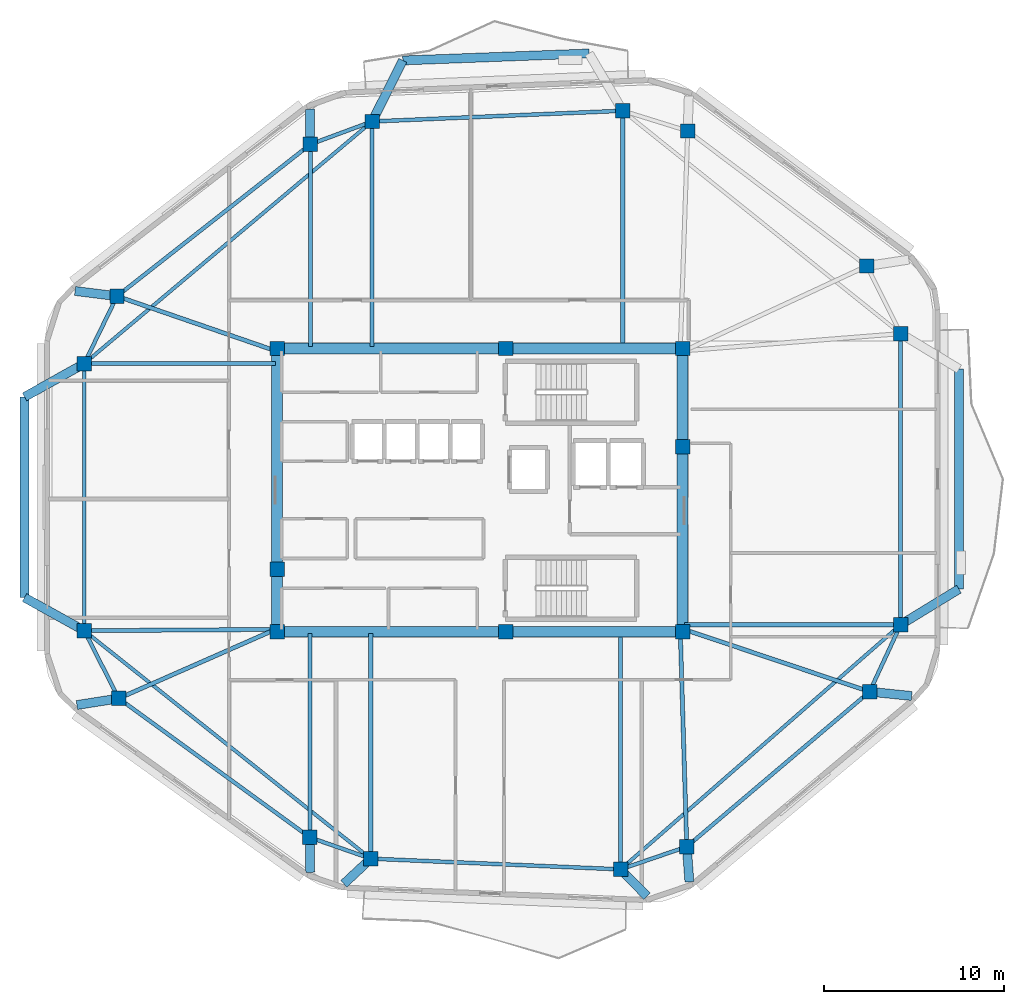
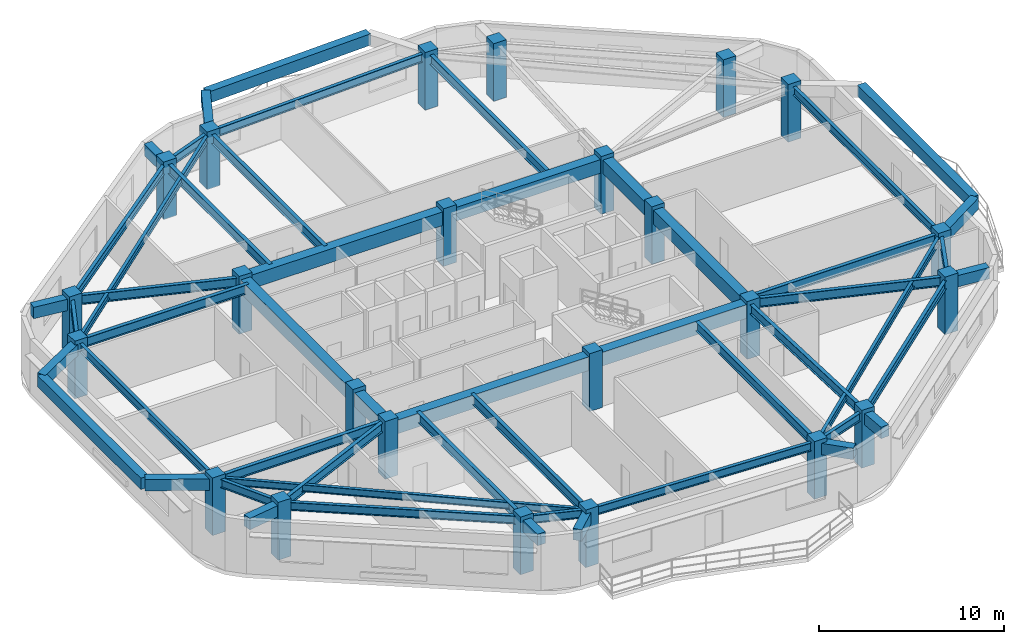
# One storey, part 1 of 8: 52 beams, 24 columns.
"""IFC4 building model written with IfcOpenShell, lengths in metres."""

from ifc_helpers import new_model, si_unit, direction, frame, origin, origin_2d, place, context, subcontext, project, spatial, rectangle, i_section, extrude, material, material_profile, profile_set, type_object, element, save


model = new_model("IFC4")

# Units and contexts
model_context = context("Model", 3, precision=1e-05, world=origin(), true_north=direction((0.0, 1.0)))
body_context = subcontext(model_context, "Body", "Model", "MODEL_VIEW")
ifc_project = project(units=[si_unit("LENGTHUNIT", "METRE"), si_unit("AREAUNIT", "SQUARE_METRE"), si_unit("VOLUMEUNIT", "CUBIC_METRE"), si_unit("PLANEANGLEUNIT", "RADIAN"), si_unit("MASSUNIT", "GRAM", prefix="KILO")], contexts=[model_context])

# Site, building, storey
site_placement = place(None, origin())
site = spatial("IfcSite", under=ifc_project, at=site_placement, CompositionType="ELEMENT")
building_placement = place(site_placement, origin())
building = spatial("IfcBuilding", under=site, at=building_placement, Name="Zulverin Broadcast Headquarters", CompositionType="ELEMENT")
storey_placement = place(building_placement, frame((0.0, 0.0, 274.39990234375)))
storey = spatial("IfcBuildingStorey", under=building, at=storey_placement, Name="L70", CompositionType="ELEMENT", Elevation=274.39990234375)

# Columns
ifc_material_1 = material(Name="Concrete C50/60", Category="concrete")
ifc_material_profile_1 = material_profile(ifc_material_1, rectangle(XDim=0.800048828125, YDim=0.800048828125, at=origin_2d()), Name="Concrete C50/60", Category="concrete")
ifc_profile_set_1 = profile_set([ifc_material_profile_1], Name="Concrete C50/60")
column_type_1 = type_object("IfcColumnType", Name="COL-RC-800", PredefinedType="COLUMN", material=ifc_profile_set_1)
for number, where, z_axis, x_axis, name in (
    (1, (30.93359375, 4.703125, 0.0), (0.0, 0.0, 1.0), (1.0, 0.0, 0.0), "L70 Perimeter Column T01"),
    (2, (44.826904296875, 4.1083984375, 0.0), (0.0, 0.0, 1.0), (1.0, 0.0, 0.0), "L70 Perimeter Column T02"),
    (3, (48.5078125, 5.3701171875, 0.0), (0.0, 0.0, 1.0), (1.0, 0.0, 0.0), "L70 Perimeter Column T03"),
    (4, (58.6748046875, 13.9892578125, 0.0), (0.0, 0.0, 1.0), (1.0, 0.0, 0.0), "L70 Perimeter Column T04"),
    (5, (60.39990234375, 17.713623046875, 0.0), (0.0, 0.0, 1.0), (1.0, 0.0, 0.0), "L70 Perimeter Column T05"),
    (6, (60.39990234375, 33.903076171875, 0.0), (0.0, 0.0, 1.0), (1.0, 0.0, 0.0), "L70 Perimeter Column T06"),
    (7, (58.52587890625, 37.661865234375, 0.0), (0.0, 0.0, 1.0), (1.0, 0.0, 0.0), "L70 Perimeter Column T07"),
    (8, (48.55908203125, 45.172607421875, 0.0), (0.0, 0.0, 1.0), (1.0, 0.0, 0.0), "L70 Perimeter Column T08"),
    (9, (44.944580078125, 46.296630859375, 0.0), (0.0, 0.0, 1.0), (1.0, 0.0, 0.0), "L70 Perimeter Column T09"),
    (10, (31.006591796875, 45.699951171875, 0.0), (0.0, 0.0, 1.0), (1.0, 0.0, 0.0), "L70 Perimeter Column T10"),
    (11, (27.573486328125, 44.4296875, 0.0), (0.0, 0.0, 1.0), (1.0, 0.0, 0.0), "L70 Perimeter Column T11"),
    (12, (16.82177734375, 35.98388671875, 0.0), (0.0, 0.0, 1.0), (1.0, 0.0, 0.0), "L70 Perimeter Column T12"),
    (13, (15.0, 32.236083984375, 0.0), (0.0, 0.0, 1.0), (1.0, 0.0, 0.0), "L70 Perimeter Column T13"),
    (14, (15.0, 17.383056640625, 0.0), (0.0, 0.0, 1.0), (1.0, 0.0, 0.0), "L70 Perimeter Column T14"),
    (15, (16.918212890625, 13.61572265625, 0.0), (0.0, 0.0, 1.0), (1.0, 0.0, 0.0), "L70 Perimeter Column T15"),
    (16, (27.54541015625, 5.8857421875, 0.0), (0.0, 0.0, 1.0), (1.0, 0.0, 0.0), "L70 Perimeter Column T16"),
):
    element("IfcColumn", number, at=place(storey_placement, frame(where, z_axis=z_axis, x_axis=x_axis)), inside=storey, type_object=column_type_1, Name=name, PredefinedType="COLUMN", context=body_context, shape_type="SweptSolid", body=[
        extrude(rectangle(XDim=0.800048828125, YDim=0.800048828125, at=origin_2d()), origin(), (0.0, 0.0, 1.0), 3.800048828125),
    ])
ifc_material_profile_2 = material_profile(ifc_material_1, rectangle(XDim=0.800048828125, YDim=0.800048828125, at=origin_2d()), Name="Concrete C50/60", Category="concrete")
ifc_profile_set_2 = profile_set([ifc_material_profile_2], Name="Concrete C50/60")
column_type_2 = type_object("IfcColumnType", Name="PIL-RC-800", PredefinedType="PILASTER", material=ifc_profile_set_2)
for number, where, z_axis, x_axis, name in (
    (17, (25.72509765625, 17.324951171875, 0.0), (0.0, 0.0, 1.0), (1.0, 0.0, 0.0), "L70 Core Pilaster K01"),
    (18, (38.449951171875, 17.324951171875, 0.0), (0.0, 0.0, 1.0), (1.0, 0.0, 0.0), "L70 Core Pilaster K02"),
    (19, (48.27490234375, 17.324951171875, 0.0), (0.0, 0.0, 1.0), (1.0, 0.0, 0.0), "L70 Core Pilaster K03"),
    (20, (48.27490234375, 27.6201171875, 0.0), (0.0, 0.0, 1.0), (1.0, 0.0, 0.0), "L70 Core Pilaster K04"),
    (21, (48.27490234375, 33.074951171875, 0.0), (0.0, 0.0, 1.0), (1.0, 0.0, 0.0), "L70 Core Pilaster K05"),
    (22, (38.449951171875, 33.074951171875, 0.0), (0.0, 0.0, 1.0), (1.0, 0.0, 0.0), "L70 Core Pilaster K06"),
    (23, (25.72509765625, 33.074951171875, 0.0), (0.0, 0.0, 1.0), (1.0, 0.0, 0.0), "L70 Core Pilaster K07"),
    (24, (25.72509765625, 20.800048828125, 0.0), (0.0, 0.0, 1.0), (1.0, 0.0, 0.0), "L70 Core Pilaster K08"),
):
    element("IfcColumn", number, at=place(storey_placement, frame(where, z_axis=z_axis, x_axis=x_axis)), inside=storey, type_object=column_type_2, Name=name, PredefinedType="PILASTER", context=body_context, shape_type="SweptSolid", body=[
        extrude(rectangle(XDim=0.800048828125, YDim=0.800048828125, at=origin_2d()), origin(), (0.0, 0.0, 1.0), 3.800048828125),
    ])

# Beams
ifc_material_2 = material(Name="Concrete C60/75", Category="concrete")
ifc_material_profile_3 = material_profile(ifc_material_2, rectangle(XDim=0.60009765625, YDim=0.89990234375, at=origin_2d()), Name="Concrete C60/75", Category="concrete")
ifc_profile_set_3 = profile_set([ifc_material_profile_3], Name="Concrete C60/75")
beam_type_1 = type_object("IfcBeamType", Name="BM-CB-600x900", PredefinedType="LINTEL", material=ifc_profile_set_3)
beam_1_placement = place(storey_placement, frame((25.72509765625, 17.324951171875, 3.090087890625), z_axis=(1.0, 0.0, 0.0), x_axis=(0.0, 1.0, 0.0)))
element("IfcBeam", 25, at=beam_1_placement, inside=storey, type_object=beam_type_1, Name="L70 Core Coupling Girder K01-K02", PredefinedType="LINTEL", context=body_context, shape_type="SweptSolid", body=[
    extrude(rectangle(XDim=0.60009765625, YDim=0.89990234375, at=origin_2d()), origin(), (0.0, 0.0, 1.0), 12.724853515625),
])
beam_2_placement = place(storey_placement, frame((38.449951171875, 17.324951171875, 3.090087890625), z_axis=(1.0, 0.0, 0.0), x_axis=(0.0, 1.0, 0.0)))
element("IfcBeam", 26, at=beam_2_placement, inside=storey, type_object=beam_type_1, Name="L70 Core Coupling Girder K02-K03", PredefinedType="LINTEL", context=body_context, shape_type="SweptSolid", body=[
    extrude(rectangle(XDim=0.60009765625, YDim=0.89990234375, at=origin_2d()), origin(), (0.0, 0.0, 1.0), 9.824951171875),
])
beam_3_placement = place(storey_placement, frame((48.27490234375, 17.324951171875, 3.090087890625), z_axis=(0.0, 1.0, 0.0), x_axis=(-1.0, 0.0, 0.0)))
element("IfcBeam", 27, at=beam_3_placement, inside=storey, type_object=beam_type_1, Name="L70 Core Coupling Girder K03-K04", PredefinedType="LINTEL", context=body_context, shape_type="SweptSolid", body=[
    extrude(rectangle(XDim=0.60009765625, YDim=0.89990234375, at=origin_2d()), origin(), (0.0, 0.0, 1.0), 10.295166015625),
])
beam_4_placement = place(storey_placement, frame((48.27490234375, 27.6201171875, 3.090087890625), z_axis=(0.0, 1.0, 0.0), x_axis=(-1.0, 0.0, 0.0)))
element("IfcBeam", 28, at=beam_4_placement, inside=storey, type_object=beam_type_1, Name="L70 Core Coupling Girder K04-K05", PredefinedType="LINTEL", context=body_context, shape_type="SweptSolid", body=[
    extrude(rectangle(XDim=0.60009765625, YDim=0.89990234375, at=origin_2d()), origin(), (0.0, 0.0, 1.0), 5.454833984375),
])
beam_5_placement = place(storey_placement, frame((48.27490234375, 33.074951171875, 3.090087890625), z_axis=(-1.0, 0.0, 0.0), x_axis=(0.0, -1.0, 0.0)))
element("IfcBeam", 29, at=beam_5_placement, inside=storey, type_object=beam_type_1, Name="L70 Core Coupling Girder K05-K06", PredefinedType="LINTEL", context=body_context, shape_type="SweptSolid", body=[
    extrude(rectangle(XDim=0.60009765625, YDim=0.89990234375, at=origin_2d()), origin(), (0.0, 0.0, 1.0), 9.824951171875),
])
beam_6_placement = place(storey_placement, frame((38.449951171875, 33.074951171875, 3.090087890625), z_axis=(-1.0, 0.0, 0.0), x_axis=(0.0, -1.0, 0.0)))
element("IfcBeam", 30, at=beam_6_placement, inside=storey, type_object=beam_type_1, Name="L70 Core Coupling Girder K06-K07", PredefinedType="LINTEL", context=body_context, shape_type="SweptSolid", body=[
    extrude(rectangle(XDim=0.60009765625, YDim=0.89990234375, at=origin_2d()), origin(), (0.0, 0.0, 1.0), 12.724853515625),
])
beam_7_placement = place(storey_placement, frame((25.72509765625, 33.074951171875, 3.090087890625), z_axis=(0.0, -1.0, 0.0), x_axis=(1.0, 0.0, 0.0)))
element("IfcBeam", 31, at=beam_7_placement, inside=storey, type_object=beam_type_1, Name="L70 Core Coupling Girder K07-K08", PredefinedType="LINTEL", context=body_context, shape_type="SweptSolid", body=[
    extrude(rectangle(XDim=0.60009765625, YDim=0.89990234375, at=origin_2d()), origin(), (0.0, 0.0, 1.0), 12.27490234375),
])
beam_8_placement = place(storey_placement, frame((25.72509765625, 20.800048828125, 3.090087890625), z_axis=(0.0, -1.0, 0.0), x_axis=(1.0, 0.0, 0.0)))
element("IfcBeam", 32, at=beam_8_placement, inside=storey, type_object=beam_type_1, Name="L70 Core Coupling Girder K08-K01", PredefinedType="LINTEL", context=body_context, shape_type="SweptSolid", body=[
    extrude(rectangle(XDim=0.60009765625, YDim=0.89990234375, at=origin_2d()), origin(), (0.0, 0.0, 1.0), 3.47509765625),
])
ifc_material_3 = material(Name="Concrete C40/50", Category="concrete")
ifc_material_profile_4 = material_profile(ifc_material_3, rectangle(XDim=0.5, YDim=0.75, at=origin_2d()), Name="Concrete C40/50", Category="concrete")
ifc_profile_set_4 = profile_set([ifc_material_profile_4], Name="Concrete C40/50")
beam_type_2 = type_object("IfcBeamType", Name="BM-RC-500x750", PredefinedType="BEAM", material=ifc_profile_set_4)
beam_9_placement = place(storey_placement, frame((30.93359375, 4.703125, 3.1650390625), z_axis=(-0.73024265603, -0.683187868243, 0.0), x_axis=(0.683187868243, -0.73024265603, 0.0)))
element("IfcBeam", 33, at=beam_9_placement, inside=storey, type_object=beam_type_2, Name="L71 Plate Overhang Back-Spanned Beam OVR-01", PredefinedType="BEAM", context=body_context, shape_type="SweptSolid", body=[
    extrude(rectangle(XDim=0.5, YDim=0.75, at=origin_2d()), origin(), (0.0, 0.0, 1.0), 2.04931640625),
])
beam_10_placement = place(storey_placement, frame((44.826904296875, 4.1083984375, 3.1650390625), z_axis=(0.700802041064, -0.713355801295, 0.0), x_axis=(0.713355801295, 0.700802041064, 0.0)))
element("IfcBeam", 34, at=beam_10_placement, inside=storey, type_object=beam_type_2, Name="L71 Plate Overhang Back-Spanned Beam OVR-02", PredefinedType="BEAM", context=body_context, shape_type="SweptSolid", body=[
    extrude(rectangle(XDim=0.5, YDim=0.75, at=origin_2d()), origin(), (0.0, 0.0, 1.0), 2.100341796875),
])
beam_11_placement = place(storey_placement, frame((48.5078125, 5.3701171875, 3.1650390625), z_axis=(0.074434680239, -0.997225891349, 0.0), x_axis=(0.997225891349, 0.074434680239, 0.0)))
element("IfcBeam", 35, at=beam_11_placement, inside=storey, type_object=beam_type_2, Name="L71 Plate Overhang Back-Spanned Beam OVR-03", PredefinedType="BEAM", context=body_context, shape_type="SweptSolid", body=[
    extrude(rectangle(XDim=0.5, YDim=0.75, at=origin_2d()), origin(), (0.0, 0.0, 1.0), 1.964599609375),
])
beam_12_placement = place(storey_placement, frame((58.6748046875, 13.9892578125, 3.1650390625), z_axis=(0.994775761489, -0.10208420227, 0.0), x_axis=(0.10208420227, 0.994775761489, 0.0)))
element("IfcBeam", 36, at=beam_12_placement, inside=storey, type_object=beam_type_2, Name="L71 Plate Overhang Back-Spanned Beam OVR-04", PredefinedType="BEAM", context=body_context, shape_type="SweptSolid", body=[
    extrude(rectangle(XDim=0.5, YDim=0.75, at=origin_2d()), origin(), (0.0, 0.0, 1.0), 2.350830078125),
])
beam_13_placement = place(storey_placement, frame((27.573486328125, 44.4296875, 3.1650390625), z_axis=(-0.015261577794, 0.99988353534, 0.0), x_axis=(-0.99988353534, -0.015261577794, 0.0)))
element("IfcBeam", 37, at=beam_13_placement, inside=storey, type_object=beam_type_2, Name="L71 Plate Overhang Back-Spanned Beam OVR-11", PredefinedType="BEAM", context=body_context, shape_type="SweptSolid", body=[
    extrude(rectangle(XDim=0.5, YDim=0.75, at=origin_2d()), origin(), (0.0, 0.0, 1.0), 1.95166015625),
])
beam_14_placement = place(storey_placement, frame((16.82177734375, 35.98388671875, 3.1650390625), z_axis=(-0.992249101717, 0.124264718012, 0.0), x_axis=(-0.124264718012, -0.992249101717, 0.0)))
element("IfcBeam", 38, at=beam_14_placement, inside=storey, type_object=beam_type_2, Name="L71 Plate Overhang Back-Spanned Beam OVR-12", PredefinedType="BEAM", context=body_context, shape_type="SweptSolid", body=[
    extrude(rectangle(XDim=0.5, YDim=0.75, at=origin_2d()), origin(), (0.0, 0.0, 1.0), 2.351806640625),
])
beam_15_placement = place(storey_placement, frame((16.918212890625, 13.61572265625, 3.1650390625), z_axis=(-0.987723457787, -0.156212582521, 0.0), x_axis=(0.156212582521, -0.987723457787, 0.0)))
element("IfcBeam", 39, at=beam_15_placement, inside=storey, type_object=beam_type_2, Name="L71 Plate Overhang Back-Spanned Beam OVR-15", PredefinedType="BEAM", context=body_context, shape_type="SweptSolid", body=[
    extrude(rectangle(XDim=0.5, YDim=0.75, at=origin_2d()), origin(), (0.0, 0.0, 1.0), 2.35693359375),
])
beam_16_placement = place(storey_placement, frame((27.54541015625, 5.8857421875, 3.1650390625), z_axis=(0.012082189143, -0.999927007689, 0.0), x_axis=(0.999927007689, 0.012082189143, 0.0)))
element("IfcBeam", 40, at=beam_16_placement, inside=storey, type_object=beam_type_2, Name="L71 Plate Overhang Back-Spanned Beam OVR-16", PredefinedType="BEAM", context=body_context, shape_type="SweptSolid", body=[
    extrude(rectangle(XDim=0.5, YDim=0.75, at=origin_2d()), origin(), (0.0, 0.0, 1.0), 1.93994140625),
])
beam_17_placement = place(storey_placement, frame((60.39990234375, 17.713623046875, 3.1650390625), z_axis=(0.853361233194, 0.521320060694, 0.0), x_axis=(-0.521320060694, 0.853361233194, 0.0)))
element("IfcBeam", 41, at=beam_17_placement, inside=storey, type_object=beam_type_2, Name="L71 Balcony Column-Framed Cantilever BAL_E-1", PredefinedType="BEAM", context=body_context, shape_type="SweptSolid", body=[
    extrude(rectangle(XDim=0.5, YDim=0.75, at=origin_2d()), origin(), (0.0, 0.0, 1.0), 3.7998046875),
])
beam_18_placement = place(storey_placement, frame((63.642578125, 19.694580078125, 3.1650390625), z_axis=(0.000757802156, 0.999999712868, 0.0), x_axis=(-0.999999712868, 0.000757802156, 0.0)))
element("IfcBeam", 42, at=beam_18_placement, inside=storey, type_object=beam_type_2, Name="L71 Balcony Outer Edge Trimmer Beam BAL_E", PredefinedType="BEAM", context=body_context, shape_type="SweptSolid", body=[
    extrude(rectangle(XDim=0.5, YDim=0.75, at=origin_2d()), origin(), (0.0, 0.0, 1.0), 12.242431640625),
])
beam_19_placement = place(storey_placement, frame((31.006591796875, 45.699951171875, 3.1650390625), z_axis=(0.450063974844, 0.892996314969, 0.0), x_axis=(-0.892996314969, 0.450063974844, 0.0)))
element("IfcBeam", 43, at=beam_19_placement, inside=storey, type_object=beam_type_2, Name="L71 Balcony Column-Framed Cantilever BAL_N-2", PredefinedType="BEAM", context=body_context, shape_type="SweptSolid", body=[
    extrude(rectangle(XDim=0.5, YDim=0.75, at=origin_2d()), origin(), (0.0, 0.0, 1.0), 3.7998046875),
])
beam_20_placement = place(storey_placement, frame((43.069091796875, 49.481689453125, 3.1650390625), z_axis=(-0.999296832265, -0.037494546615, 0.0), x_axis=(0.037494546615, -0.999296832265, 0.0)))
element("IfcBeam", 44, at=beam_20_placement, inside=storey, type_object=beam_type_2, Name="L71 Balcony Outer Edge Trimmer Beam BAL_N", PredefinedType="BEAM", context=body_context, shape_type="SweptSolid", body=[
    extrude(rectangle(XDim=0.5, YDim=0.75, at=origin_2d()), origin(), (0.0, 0.0, 1.0), 10.359619140625),
])
for number, where, z_axis, x_axis, name in (
    (45, (15.0, 32.236083984375, 3.1650390625), (-0.873048873834, -0.487632714137, 0.0), (0.487632714137, -0.873048873834, 0.0), "L71 Balcony Column-Framed Cantilever BAL_W-1"),
    (46, (15.0, 17.383056640625, 3.1650390625), (-0.874614506894, 0.484819001618, 0.0), (-0.484819001618, -0.874614506894, 0.0), "L71 Balcony Column-Framed Cantilever BAL_W-2"),
):
    element("IfcBeam", number, at=place(storey_placement, frame(where, z_axis=z_axis, x_axis=x_axis)), inside=storey, type_object=beam_type_2, Name=name, PredefinedType="BEAM", context=body_context, shape_type="SweptSolid", body=[
        extrude(rectangle(XDim=0.5, YDim=0.75, at=origin_2d()), origin(), (0.0, 0.0, 1.0), 3.800048828125),
    ])
beam_21_placement = place(storey_placement, frame((11.682373046875, 30.383056640625, 3.1650390625), z_axis=(-0.000525141059, -0.999999862113, 0.0), x_axis=(0.999999862113, -0.000525141059, 0.0)))
element("IfcBeam", 47, at=beam_21_placement, inside=storey, type_object=beam_type_2, Name="L71 Balcony Outer Edge Trimmer Beam BAL_W", PredefinedType="BEAM", context=body_context, shape_type="SweptSolid", body=[
    extrude(rectangle(XDim=0.5, YDim=0.75, at=origin_2d()), origin(), (0.0, 0.0, 1.0), 11.15771484375),
])
ifc_material_4 = material(Name="Structural steel S355JR", Category="steel")
ifc_material_profile_5 = material_profile(ifc_material_4, i_section(OverallWidth=0.19287109375, OverallDepth=0.46728515625, WebThickness=0.011474609375, FlangeThickness=0.01953125, at=origin_2d()), Name="Structural steel S355JR", Category="steel")
ifc_profile_set_5 = profile_set([ifc_material_profile_5], Name="Structural steel S355JR")
beam_type_3 = type_object("IfcBeamType", Name="BM-UB-457", PredefinedType="JOIST", material=ifc_profile_set_5)
beam_22_placement = place(storey_placement, frame((44.826904296875, 4.1083984375, 3.306396484375), z_axis=(0.753083303383, 0.657925176723, 0.0), x_axis=(-0.657925176723, 0.753083303383, 0.0)))
element("IfcBeam", 48, at=beam_22_placement, inside=storey, type_object=beam_type_3, Name="L70 Chordal Floor Joist J-01", PredefinedType="JOIST", context=body_context, shape_type="SweptSolid", body=[
    extrude(i_section(OverallWidth=0.19287109375, OverallDepth=0.46728515625, WebThickness=0.011474609375, FlangeThickness=0.01953125, at=origin_2d()), origin(), (0.0, 0.0, 1.0), 20.678955078125),
])
beam_23_placement = place(storey_placement, frame((31.006591796875, 45.699951171875, 3.306396484375), z_axis=(-0.765273089862, -0.643705754156, 0.0), x_axis=(0.643705754156, -0.765273089862, 0.0)))
element("IfcBeam", 49, at=beam_23_placement, inside=storey, type_object=beam_type_3, Name="L70 Chordal Floor Joist J-03", PredefinedType="JOIST", context=body_context, shape_type="SweptSolid", body=[
    extrude(i_section(OverallWidth=0.19287109375, OverallDepth=0.46728515625, WebThickness=0.011474609375, FlangeThickness=0.01953125, at=origin_2d()), origin(), (0.0, 0.0, 1.0), 20.916259765625),
])
beam_24_placement = place(storey_placement, frame((15.0, 17.383056640625, 3.306396484375), z_axis=(0.782469878912, -0.622688436214, 0.0), x_axis=(0.622688436214, 0.782469878912, 0.0)))
element("IfcBeam", 50, at=beam_24_placement, inside=storey, type_object=beam_type_3, Name="L70 Chordal Floor Joist J-04", PredefinedType="JOIST", context=body_context, shape_type="SweptSolid", body=[
    extrude(i_section(OverallWidth=0.19287109375, OverallDepth=0.46728515625, WebThickness=0.011474609375, FlangeThickness=0.01953125, at=origin_2d()), origin(), (0.0, 0.0, 1.0), 20.36328125),
])
ifc_material_profile_6 = material_profile(ifc_material_4, i_section(OverallWidth=0.2119140625, OverallDepth=0.54443359375, WebThickness=0.0126953125, FlangeThickness=0.021240234375, at=origin_2d()), Name="Structural steel S355JR", Category="steel")
ifc_profile_set_6 = profile_set([ifc_material_profile_6], Name="Structural steel S355JR")
beam_type_4 = type_object("IfcBeamType", Name="BM-UB-533", PredefinedType="SPANDREL", material=ifc_profile_set_6)
beam_25_placement = place(storey_placement, frame((30.93359375, 4.703125, 3.267822265625), z_axis=(0.999085051108, -0.042767518662, 0.0), x_axis=(0.042767518662, 0.999085051108, 0.0)))
element("IfcBeam", 51, at=beam_25_placement, inside=storey, type_object=beam_type_4, Name="L70 Perimeter Spandrel Beam SP-01", PredefinedType="SPANDREL", context=body_context, shape_type="SweptSolid", body=[
    extrude(i_section(OverallWidth=0.2119140625, OverallDepth=0.54443359375, WebThickness=0.0126953125, FlangeThickness=0.021240234375, at=origin_2d()), origin(), (0.0, 0.0, 1.0), 13.906005859375),
])
beam_26_placement = place(storey_placement, frame((44.826904296875, 4.1083984375, 3.267822265625), z_axis=(0.945970142065, 0.324253743728, 0.0), x_axis=(-0.324253743728, 0.945970142065, 0.0)))
element("IfcBeam", 52, at=beam_26_placement, inside=storey, type_object=beam_type_4, Name="L70 Perimeter Spandrel Beam SP-02", PredefinedType="SPANDREL", context=body_context, shape_type="SweptSolid", body=[
    extrude(i_section(OverallWidth=0.2119140625, OverallDepth=0.54443359375, WebThickness=0.0126953125, FlangeThickness=0.021240234375, at=origin_2d()), origin(), (0.0, 0.0, 1.0), 3.89111328125),
])
beam_27_placement = place(storey_placement, frame((48.5078125, 5.3701171875, 3.267822265625), z_axis=(0.762782889345, 0.646654671152, 0.0), x_axis=(-0.646654671152, 0.762782889345, 0.0)))
element("IfcBeam", 53, at=beam_27_placement, inside=storey, type_object=beam_type_4, Name="L70 Perimeter Spandrel Beam SP-03", PredefinedType="SPANDREL", context=body_context, shape_type="SweptSolid", body=[
    extrude(i_section(OverallWidth=0.2119140625, OverallDepth=0.54443359375, WebThickness=0.0126953125, FlangeThickness=0.021240234375, at=origin_2d()), origin(), (0.0, 0.0, 1.0), 13.328857421875),
])
beam_28_placement = place(storey_placement, frame((58.6748046875, 13.9892578125, 3.267822265625), z_axis=(0.420294999852, 0.907387520908, 0.0), x_axis=(-0.907387520908, 0.420294999852, 0.0)))
element("IfcBeam", 54, at=beam_28_placement, inside=storey, type_object=beam_type_4, Name="L70 Perimeter Spandrel Beam SP-04", PredefinedType="SPANDREL", context=body_context, shape_type="SweptSolid", body=[
    extrude(i_section(OverallWidth=0.2119140625, OverallDepth=0.54443359375, WebThickness=0.0126953125, FlangeThickness=0.021240234375, at=origin_2d()), origin(), (0.0, 0.0, 1.0), 4.1044921875),
])
beam_29_placement = place(storey_placement, frame((60.39990234375, 17.713623046875, 3.267822265625), z_axis=(0.0, 1.0, 0.0), x_axis=(-1.0, 0.0, 0.0)))
element("IfcBeam", 55, at=beam_29_placement, inside=storey, type_object=beam_type_4, Name="L70 Perimeter Spandrel Beam SP-05", PredefinedType="SPANDREL", context=body_context, shape_type="SweptSolid", body=[
    extrude(i_section(OverallWidth=0.2119140625, OverallDepth=0.54443359375, WebThickness=0.0126953125, FlangeThickness=0.021240234375, at=origin_2d()), origin(), (0.0, 0.0, 1.0), 16.189453125),
])
beam_30_placement = place(storey_placement, frame((44.944580078125, 46.296630859375, 3.267822265625), z_axis=(-0.999084926695, -0.042770424958, 0.0), x_axis=(0.042770424958, -0.999084926695, 0.0)))
element("IfcBeam", 56, at=beam_30_placement, inside=storey, type_object=beam_type_4, Name="L70 Perimeter Spandrel Beam SP-09", PredefinedType="SPANDREL", context=body_context, shape_type="SweptSolid", body=[
    extrude(i_section(OverallWidth=0.2119140625, OverallDepth=0.54443359375, WebThickness=0.0126953125, FlangeThickness=0.021240234375, at=origin_2d()), origin(), (0.0, 0.0, 1.0), 13.95068359375),
])
beam_31_placement = place(storey_placement, frame((31.006591796875, 45.699951171875, 3.267822265625), z_axis=(-0.937860540342, -0.347012401607, 0.0), x_axis=(0.347012401607, -0.937860540342, 0.0)))
element("IfcBeam", 57, at=beam_31_placement, inside=storey, type_object=beam_type_4, Name="L70 Perimeter Spandrel Beam SP-10", PredefinedType="SPANDREL", context=body_context, shape_type="SweptSolid", body=[
    extrude(i_section(OverallWidth=0.2119140625, OverallDepth=0.54443359375, WebThickness=0.0126953125, FlangeThickness=0.021240234375, at=origin_2d()), origin(), (0.0, 0.0, 1.0), 3.66064453125),
])
beam_32_placement = place(storey_placement, frame((27.573486328125, 44.4296875, 3.267822265625), z_axis=(-0.786388352061, -0.617732433779, 0.0), x_axis=(0.617732433779, -0.786388352061, 0.0)))
element("IfcBeam", 58, at=beam_32_placement, inside=storey, type_object=beam_type_4, Name="L70 Perimeter Spandrel Beam SP-11", PredefinedType="SPANDREL", context=body_context, shape_type="SweptSolid", body=[
    extrude(i_section(OverallWidth=0.2119140625, OverallDepth=0.54443359375, WebThickness=0.0126953125, FlangeThickness=0.021240234375, at=origin_2d()), origin(), (0.0, 0.0, 1.0), 13.67236328125),
])
beam_33_placement = place(storey_placement, frame((16.82177734375, 35.98388671875, 3.267822265625), z_axis=(-0.437178884994, -0.899374572976, 0.0), x_axis=(0.899374572976, -0.437178884994, 0.0)))
element("IfcBeam", 59, at=beam_33_placement, inside=storey, type_object=beam_type_4, Name="L70 Perimeter Spandrel Beam SP-12", PredefinedType="SPANDREL", context=body_context, shape_type="SweptSolid", body=[
    extrude(i_section(OverallWidth=0.2119140625, OverallDepth=0.54443359375, WebThickness=0.0126953125, FlangeThickness=0.021240234375, at=origin_2d()), origin(), (0.0, 0.0, 1.0), 4.167236328125),
])
beam_34_placement = place(storey_placement, frame((15.0, 32.236083984375, 3.267822265625), z_axis=(0.0, -1.0, 0.0), x_axis=(1.0, 0.0, 0.0)))
element("IfcBeam", 60, at=beam_34_placement, inside=storey, type_object=beam_type_4, Name="L70 Perimeter Spandrel Beam SP-13", PredefinedType="SPANDREL", context=body_context, shape_type="SweptSolid", body=[
    extrude(i_section(OverallWidth=0.2119140625, OverallDepth=0.54443359375, WebThickness=0.0126953125, FlangeThickness=0.021240234375, at=origin_2d()), origin(), (0.0, 0.0, 1.0), 14.85302734375),
])
beam_35_placement = place(storey_placement, frame((15.0, 17.383056640625, 3.267822265625), z_axis=(0.453738909408, -0.89113467113, 0.0), x_axis=(0.89113467113, 0.453738909408, 0.0)))
element("IfcBeam", 61, at=beam_35_placement, inside=storey, type_object=beam_type_4, Name="L70 Perimeter Spandrel Beam SP-14", PredefinedType="SPANDREL", context=body_context, shape_type="SweptSolid", body=[
    extrude(i_section(OverallWidth=0.2119140625, OverallDepth=0.54443359375, WebThickness=0.0126953125, FlangeThickness=0.021240234375, at=origin_2d()), origin(), (0.0, 0.0, 1.0), 4.2275390625),
])
beam_36_placement = place(storey_placement, frame((16.918212890625, 13.61572265625, 3.267822265625), z_axis=(0.808695913066, -0.588226929162, 0.0), x_axis=(0.588226929162, 0.808695913066, 0.0)))
element("IfcBeam", 62, at=beam_36_placement, inside=storey, type_object=beam_type_4, Name="L70 Perimeter Spandrel Beam SP-15", PredefinedType="SPANDREL", context=body_context, shape_type="SweptSolid", body=[
    extrude(i_section(OverallWidth=0.2119140625, OverallDepth=0.54443359375, WebThickness=0.0126953125, FlangeThickness=0.021240234375, at=origin_2d()), origin(), (0.0, 0.0, 1.0), 13.14111328125),
])
beam_37_placement = place(storey_placement, frame((27.54541015625, 5.8857421875, 3.267822265625), z_axis=(0.944140138036, -0.329544230339, 0.0), x_axis=(0.329544230339, 0.944140138036, 0.0)))
element("IfcBeam", 63, at=beam_37_placement, inside=storey, type_object=beam_type_4, Name="L70 Perimeter Spandrel Beam SP-16", PredefinedType="SPANDREL", context=body_context, shape_type="SweptSolid", body=[
    extrude(i_section(OverallWidth=0.2119140625, OverallDepth=0.54443359375, WebThickness=0.0126953125, FlangeThickness=0.021240234375, at=origin_2d()), origin(), (0.0, 0.0, 1.0), 3.588623046875),
])
ifc_material_profile_7 = material_profile(ifc_material_4, i_section(OverallWidth=0.230224609375, OverallDepth=0.6171875, WebThickness=0.01318359375, FlangeThickness=0.022216796875, at=origin_2d()), Name="Structural steel S355JR", Category="steel")
ifc_profile_set_7 = profile_set([ifc_material_profile_7], Name="Structural steel S355JR")
beam_type_5 = type_object("IfcBeamType", Name="BM-UB-610", PredefinedType="BEAM", material=ifc_profile_set_7)
beam_38_placement = place(storey_placement, frame((30.93359375, 17.22509765625, 3.2314453125), z_axis=(0.0, -1.0, 0.0), x_axis=(1.0, 0.0, 0.0)))
element("IfcBeam", 64, at=beam_38_placement, inside=storey, type_object=beam_type_5, Name="L70 Radial Primary Floor Beam RB-01", PredefinedType="BEAM", context=body_context, shape_type="SweptSolid", body=[
    extrude(i_section(OverallWidth=0.230224609375, OverallDepth=0.6171875, WebThickness=0.01318359375, FlangeThickness=0.022216796875, at=origin_2d()), origin(), (0.0, 0.0, 1.0), 12.52197265625),
])
beam_39_placement = place(storey_placement, frame((44.826904296875, 17.22509765625, 3.2314453125), z_axis=(0.0, -1.0, 0.0), x_axis=(1.0, 0.0, 0.0)))
element("IfcBeam", 65, at=beam_39_placement, inside=storey, type_object=beam_type_5, Name="L70 Radial Primary Floor Beam RB-02", PredefinedType="BEAM", context=body_context, shape_type="SweptSolid", body=[
    extrude(i_section(OverallWidth=0.230224609375, OverallDepth=0.6171875, WebThickness=0.01318359375, FlangeThickness=0.022216796875, at=origin_2d()), origin(), (0.0, 0.0, 1.0), 13.11669921875),
])
beam_40_placement = place(storey_placement, frame((48.14990234375, 17.22509765625, 3.2314453125), z_axis=(0.030176950096, -0.999544572134, 0.0), x_axis=(0.999544572134, 0.030176950096, 0.0)))
element("IfcBeam", 66, at=beam_40_placement, inside=storey, type_object=beam_type_5, Name="L70 Radial Primary Floor Beam RB-03", PredefinedType="BEAM", context=body_context, shape_type="SweptSolid", body=[
    extrude(i_section(OverallWidth=0.230224609375, OverallDepth=0.6171875, WebThickness=0.01318359375, FlangeThickness=0.022216796875, at=origin_2d()), origin(), (0.0, 0.0, 1.0), 11.8603515625),
])
beam_41_placement = place(storey_placement, frame((48.375, 17.449951171875, 3.2314453125), z_axis=(0.947923372096, -0.318498478228, 0.0), x_axis=(0.318498478228, 0.947923372096, 0.0)))
element("IfcBeam", 67, at=beam_41_placement, inside=storey, type_object=beam_type_5, Name="L70 Radial Primary Floor Beam RB-04", PredefinedType="BEAM", context=body_context, shape_type="SweptSolid", body=[
    extrude(i_section(OverallWidth=0.230224609375, OverallDepth=0.6171875, WebThickness=0.01318359375, FlangeThickness=0.022216796875, at=origin_2d()), origin(), (0.0, 0.0, 1.0), 10.86572265625),
])
beam_42_placement = place(storey_placement, frame((48.375, 17.713623046875, 3.2314453125), z_axis=(1.0, 0.0, 0.0), x_axis=(0.0, 1.0, 0.0)))
element("IfcBeam", 68, at=beam_42_placement, inside=storey, type_object=beam_type_5, Name="L70 Radial Primary Floor Beam RB-05", PredefinedType="BEAM", context=body_context, shape_type="SweptSolid", body=[
    extrude(i_section(OverallWidth=0.230224609375, OverallDepth=0.6171875, WebThickness=0.01318359375, FlangeThickness=0.022216796875, at=origin_2d()), origin(), (0.0, 0.0, 1.0), 12.02490234375),
])
beam_43_placement = place(storey_placement, frame((44.944580078125, 33.175048828125, 3.2314453125), z_axis=(0.0, 1.0, 0.0), x_axis=(-1.0, 0.0, 0.0)))
element("IfcBeam", 69, at=beam_43_placement, inside=storey, type_object=beam_type_5, Name="L70 Radial Primary Floor Beam RB-09", PredefinedType="BEAM", context=body_context, shape_type="SweptSolid", body=[
    extrude(i_section(OverallWidth=0.230224609375, OverallDepth=0.6171875, WebThickness=0.01318359375, FlangeThickness=0.022216796875, at=origin_2d()), origin(), (0.0, 0.0, 1.0), 13.12158203125),
])
beam_44_placement = place(storey_placement, frame((31.006591796875, 33.175048828125, 3.2314453125), z_axis=(0.0, 1.0, 0.0), x_axis=(-1.0, 0.0, 0.0)))
element("IfcBeam", 70, at=beam_44_placement, inside=storey, type_object=beam_type_5, Name="L70 Radial Primary Floor Beam RB-10", PredefinedType="BEAM", context=body_context, shape_type="SweptSolid", body=[
    extrude(i_section(OverallWidth=0.230224609375, OverallDepth=0.6171875, WebThickness=0.01318359375, FlangeThickness=0.022216796875, at=origin_2d()), origin(), (0.0, 0.0, 1.0), 12.52490234375),
])
beam_45_placement = place(storey_placement, frame((27.573486328125, 33.175048828125, 3.2314453125), z_axis=(0.0, 1.0, 0.0), x_axis=(-1.0, 0.0, 0.0)))
element("IfcBeam", 71, at=beam_45_placement, inside=storey, type_object=beam_type_5, Name="L70 Radial Primary Floor Beam RB-11", PredefinedType="BEAM", context=body_context, shape_type="SweptSolid", body=[
    extrude(i_section(OverallWidth=0.230224609375, OverallDepth=0.6171875, WebThickness=0.01318359375, FlangeThickness=0.022216796875, at=origin_2d()), origin(), (0.0, 0.0, 1.0), 11.254638671875),
])
beam_46_placement = place(storey_placement, frame((25.625, 32.949951171875, 3.2314453125), z_axis=(-0.945427859505, 0.325831493984, 0.0), x_axis=(-0.325831493984, -0.945427859505, 0.0)))
element("IfcBeam", 72, at=beam_46_placement, inside=storey, type_object=beam_type_5, Name="L70 Radial Primary Floor Beam RB-12", PredefinedType="BEAM", context=body_context, shape_type="SweptSolid", body=[
    extrude(i_section(OverallWidth=0.230224609375, OverallDepth=0.6171875, WebThickness=0.01318359375, FlangeThickness=0.022216796875, at=origin_2d()), origin(), (0.0, 0.0, 1.0), 9.311279296875),
])
beam_47_placement = place(storey_placement, frame((25.625, 32.236083984375, 3.2314453125), z_axis=(-1.0, 0.0, 0.0), x_axis=(0.0, -1.0, 0.0)))
element("IfcBeam", 73, at=beam_47_placement, inside=storey, type_object=beam_type_5, Name="L70 Radial Primary Floor Beam RB-13", PredefinedType="BEAM", context=body_context, shape_type="SweptSolid", body=[
    extrude(i_section(OverallWidth=0.230224609375, OverallDepth=0.6171875, WebThickness=0.01318359375, FlangeThickness=0.022216796875, at=origin_2d()), origin(), (0.0, 0.0, 1.0), 10.625),
])
beam_48_placement = place(storey_placement, frame((25.625, 17.449951171875, 3.2314453125), z_axis=(-0.999980181059, -0.006295831103, 0.0), x_axis=(0.006295831103, -0.999980181059, 0.0)))
element("IfcBeam", 74, at=beam_48_placement, inside=storey, type_object=beam_type_5, Name="L70 Radial Primary Floor Beam RB-14", PredefinedType="BEAM", context=body_context, shape_type="SweptSolid", body=[
    extrude(i_section(OverallWidth=0.230224609375, OverallDepth=0.6171875, WebThickness=0.01318359375, FlangeThickness=0.022216796875, at=origin_2d()), origin(), (0.0, 0.0, 1.0), 10.625244140625),
])
beam_49_placement = place(storey_placement, frame((25.625, 17.449951171875, 3.2314453125), z_axis=(-0.915189360301, -0.403024111924, 0.0), x_axis=(0.403024111924, -0.915189360301, 0.0)))
element("IfcBeam", 75, at=beam_49_placement, inside=storey, type_object=beam_type_5, Name="L70 Radial Primary Floor Beam RB-15", PredefinedType="BEAM", context=body_context, shape_type="SweptSolid", body=[
    extrude(i_section(OverallWidth=0.230224609375, OverallDepth=0.6171875, WebThickness=0.01318359375, FlangeThickness=0.022216796875, at=origin_2d()), origin(), (0.0, 0.0, 1.0), 9.513671875),
])
beam_50_placement = place(storey_placement, frame((27.54541015625, 17.22509765625, 3.2314453125), z_axis=(0.0, -1.0, 0.0), x_axis=(1.0, 0.0, 0.0)))
element("IfcBeam", 76, at=beam_50_placement, inside=storey, type_object=beam_type_5, Name="L70 Radial Primary Floor Beam RB-16", PredefinedType="BEAM", context=body_context, shape_type="SweptSolid", body=[
    extrude(i_section(OverallWidth=0.230224609375, OverallDepth=0.6171875, WebThickness=0.01318359375, FlangeThickness=0.022216796875, at=origin_2d()), origin(), (0.0, 0.0, 1.0), 11.33935546875),
])

save(model, "model.ifc")
